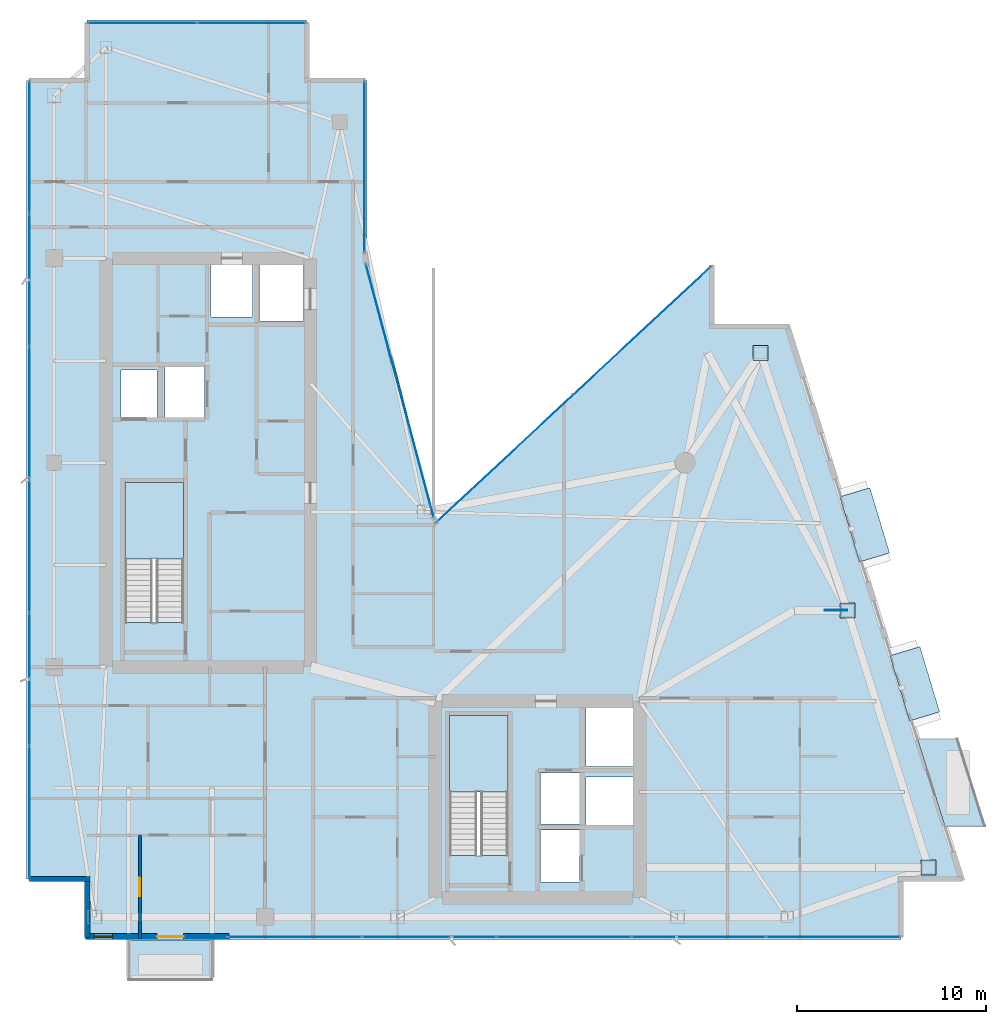
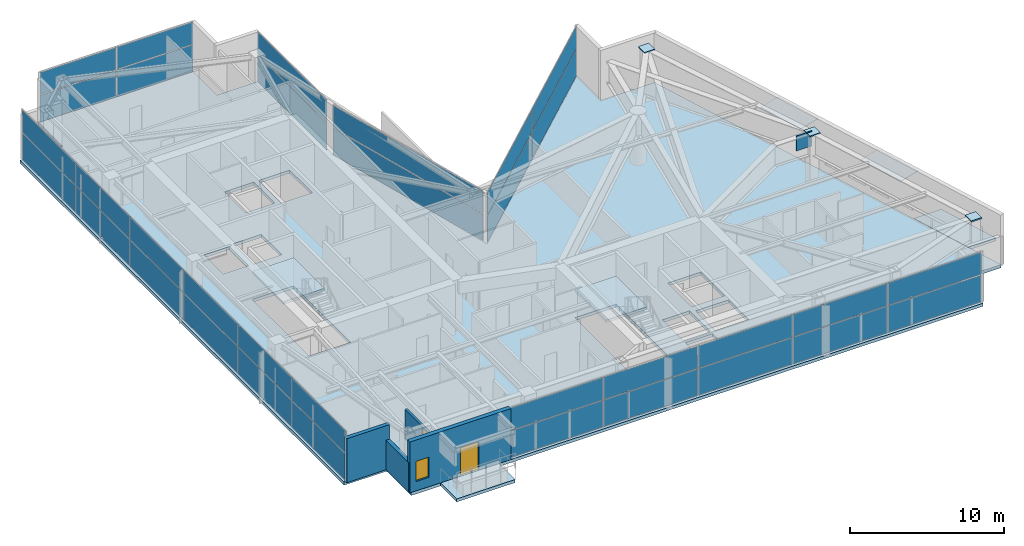
# One storey, part 21 of 27: 40 plates, 5 slabs, 4 walls, 2 doors, 1 window, 3 openings, 8 elements without a shape of their own.
"""IFC4 building model written with IfcOpenShell, lengths in metres."""

import ifcopenshell
import ifcopenshell.guid

model = None  # the IFC model being written
_history = None  # IfcOwnerHistory: only IFC2X3 demands one
_inside = {}  # id of a spatial element -> (the spatial element, [elements in it])
_under = {}  # id of a project, library or spatial element -> (it, [spatial elements below it])
_declared = {}  # id of a project -> (the project, [libraries it declares])
_typed = {}  # id of a type object -> (the type object, [elements of that type])
_made_of = {}  # id of a material, layer set ... -> (it, [elements and type objects made of it])


def new_model(schema):
    """Start an empty IFC model of exactly this schema.

    Asked for "IFC4X3", IfcOpenShell would pick the latest addendum, in which some entities
    have other attributes; the version numbers below select the first issue.
    IFC2X3 requires an IfcOwnerHistory on every rooted entity: one is made here for all.
    """
    global model, _history
    if schema == "IFC4X3":
        model = ifcopenshell.file(schema_version=(4, 3, 0, 0))
    else:
        model = ifcopenshell.file(schema=schema)
    _inside.clear()
    _under.clear()
    _declared.clear()
    _typed.clear()
    _made_of.clear()
    _history = None
    if model.schema == "IFC2X3":
        org = make("IfcOrganization", Name="unknown")
        user = make(
            "IfcPersonAndOrganization",
            ThePerson=make("IfcPerson", FamilyName="unknown"),
            TheOrganization=org,
        )
        app = make(
            "IfcApplication",
            ApplicationDeveloper=org,
            Version="unknown",
            ApplicationFullName="unknown",
            ApplicationIdentifier="unknown",
        )
        _history = make(
            "IfcOwnerHistory",
            OwningUser=user,
            OwningApplication=app,
            ChangeAction="ADDED",
            CreationDate=0,
        )
    return model


def make(cls, **values):
    """One entity of the class cls with the attributes given. An attribute that is None is left unset."""
    return model.create_entity(
        cls, **{name: value for name, value in values.items() if value is not None}
    )


def rooted(cls, **values):
    """An entity with a GlobalId (a new one), such as an element, a storey or a relation."""
    return make(cls, GlobalId=ifcopenshell.guid.new(), OwnerHistory=_history, **values)


def si_unit(unit_type, name, prefix=None):
    """IfcSIUnit, for example si_unit("LENGTHUNIT", "METRE", prefix="MILLI")."""
    return make("IfcSIUnit", UnitType=unit_type, Prefix=prefix, Name=name)


def assignment(units):
    """IfcUnitAssignment: the units of a project."""
    return None if units is None else make("IfcUnitAssignment", Units=units)


def point(xyz):
    """IfcCartesianPoint."""
    return None if xyz is None else make("IfcCartesianPoint", Coordinates=xyz)


def direction(xyz):
    """IfcDirection."""
    return None if xyz is None else make("IfcDirection", DirectionRatios=xyz)


def frame(location, z_axis=None, x_axis=None):
    """IfcAxis2Placement3D, a coordinate frame: its origin and axes. An axis left out is left unset."""
    return make(
        "IfcAxis2Placement3D",
        Location=point(location),
        Axis=direction(z_axis),
        RefDirection=direction(x_axis),
    )


def frame_2d(location, x_axis=None):
    """IfcAxis2Placement2D, a coordinate frame in the plane: its origin and x axis."""
    return make(
        "IfcAxis2Placement2D", Location=point(location), RefDirection=direction(x_axis)
    )


def origin():
    """The frame at (0, 0, 0) with its axes left unset."""
    return frame((0.0, 0.0, 0.0))


def origin_2d():
    """The frame at (0, 0) in the plane with its x axis left unset."""
    return frame_2d((0.0, 0.0))


def place(relative_to, where):
    """IfcLocalPlacement: puts the frame where relative to a parent placement (None: the world)."""
    return make(
        "IfcLocalPlacement", PlacementRelTo=relative_to, RelativePlacement=where
    )


def context(
    kind, dimensions, precision=None, world=None, true_north=None, identifier=None
):
    """IfcGeometricRepresentationContext, for example the 3D "Model" context."""
    return make(
        "IfcGeometricRepresentationContext",
        ContextIdentifier=identifier,
        ContextType=kind,
        CoordinateSpaceDimension=dimensions,
        Precision=precision,
        WorldCoordinateSystem=world,
        TrueNorth=true_north,
    )


def subcontext(parent, identifier, kind, view, scale=None):
    """IfcGeometricRepresentationSubContext, for example "Body" below "Model"."""
    return make(
        "IfcGeometricRepresentationSubContext",
        ContextIdentifier=identifier,
        ContextType=kind,
        ParentContext=parent,
        TargetScale=scale,
        TargetView=view,
    )


def project(units=None, contexts=None):
    """IfcProject with its units and contexts."""
    return rooted(
        "IfcProject",
        Name="project",
        RepresentationContexts=contexts,
        UnitsInContext=assignment(units),
    )


def spatial(cls, under=None, at=None, **own):
    """A site, building, storey or space (cls), placed at a placement, below another one or the project."""
    s = rooted(cls, ObjectPlacement=at, **own)
    if under is not None:
        _under.setdefault(under.id(), (under, []))[1].append(s)
    return s


def polyline(points):
    """IfcPolyline through the points."""
    return make("IfcPolyline", Points=[point(p) for p in points])


def profile(cls, at=None, kind="AREA", **sizes):
    """A parametric profile (cls). Its sizes go by their IFC names, for example OverallWidth=200.0."""
    return make(cls, ProfileType=kind, Position=at, **sizes)


def rectangle(**sizes):
    """IfcRectangleProfileDef."""
    return profile("IfcRectangleProfileDef", **sizes)


def outline(outer, holes=None, kind="AREA"):
    """IfcArbitraryClosedProfileDef: a profile drawn as a closed curve; with holes, ...WithVoids."""
    if holes is None:
        return make("IfcArbitraryClosedProfileDef", ProfileType=kind, OuterCurve=outer)
    return make(
        "IfcArbitraryProfileDefWithVoids",
        ProfileType=kind,
        OuterCurve=outer,
        InnerCurves=holes,
    )


def extrude(swept, where, along, depth):
    """IfcExtrudedAreaSolid: the profile swept, set in the frame where, extruded along a direction by depth."""
    return make(
        "IfcExtrudedAreaSolid",
        SweptArea=swept,
        Position=where,
        ExtrudedDirection=direction(along),
        Depth=depth,
    )


def shape(context_of_items, identifier, shape_type, items):
    """IfcShapeRepresentation: the items that make up one representation, for example the "Body"."""
    return make(
        "IfcShapeRepresentation",
        ContextOfItems=context_of_items,
        RepresentationIdentifier=identifier,
        RepresentationType=shape_type,
        Items=items,
    )


def material(Name=None, Category=None):
    """IfcMaterial."""
    return make("IfcMaterial", Name=Name, Category=Category)


def layer(
    of_material, thickness, ventilated=None, Name=None, Category=None, Priority=None
):
    """IfcMaterialLayer: one layer of a wall or slab, of a material (None: an air gap)."""
    return make(
        "IfcMaterialLayer",
        Material=of_material,
        LayerThickness=thickness,
        IsVentilated=ventilated,
        Name=Name,
        Category=Category,
        Priority=Priority,
    )


def layer_set(layers, Name=None):
    """IfcMaterialLayerSet."""
    return make("IfcMaterialLayerSet", MaterialLayers=layers, LayerSetName=Name)


def made_of(thing, what):
    """Note that an element or type object is made of a material, layer set ...; save() writes the relation."""
    if what is not None:
        _made_of.setdefault(what.id(), (what, []))[1].append(thing)
    return thing


def type_object(cls, material=None, **own):
    """A type object (cls), such as IfcWallType, which elements share."""
    return made_of(rooted(cls, **own), material)


def element(
    cls,
    number,
    at=None,
    inside=None,
    cuts=None,
    type_object=None,
    material=None,
    context=None,
    identifier="Body",
    shape_type=None,
    held_by="IfcProductDefinitionShape",
    body=None,
    shapes=None,
    **own,
):
    """One element of the class cls, such as IfcWall. Its Tag is "e" and its number.

    at: its placement. inside: the storey or other place that contains it. cuts: it is an
    opening in that element (IfcRelVoidsElement). A single representation is given by context,
    identifier, shape_type and body (its items); several are given by shapes. held_by: the class
    of the entity that holds the representations. save() writes the other relations.
    """
    e = rooted(cls, Tag="e%d" % number, ObjectPlacement=at, **own)
    if body is not None:
        shapes = [shape(context, identifier, shape_type, body)]
    if shapes is not None:
        e.Representation = make(held_by, Representations=shapes)
    if inside is not None:
        _inside.setdefault(inside.id(), (inside, []))[1].append(e)
    if cuts is not None:
        rooted(
            "IfcRelVoidsElement", RelatingBuildingElement=cuts, RelatedOpeningElement=e
        )
    if type_object is not None:
        _typed.setdefault(type_object.id(), (type_object, []))[1].append(e)
    return made_of(e, material)


def fill(opening, filler):
    """IfcRelFillsElement: the door or window that sits in an opening."""
    return rooted(
        "IfcRelFillsElement",
        RelatingOpeningElement=opening,
        RelatedBuildingElement=filler,
    )


def aggregate(whole, parts):
    """IfcRelAggregates: a whole, such as a stair, and the parts it consists of."""
    return rooted("IfcRelAggregates", RelatingObject=whole, RelatedObjects=parts)


def save(model, path):
    """Write the relations noted so far, then the file.

    IfcRelAggregates (storeys below a building ...), IfcRelContainedInSpatialStructure (elements
    in a storey), IfcRelDefinesByType, IfcRelAssociatesMaterial and IfcRelDeclares: one each for
    every whole, place, type object, material and project.
    """
    for whole, parts in _under.values():
        aggregate(whole, parts)
    for where, things in _inside.values():
        rooted(
            "IfcRelContainedInSpatialStructure",
            RelatedElements=things,
            RelatingStructure=where,
        )
    for kind, things in _typed.values():
        rooted("IfcRelDefinesByType", RelatedObjects=things, RelatingType=kind)
    for what, things in _made_of.values():
        rooted("IfcRelAssociatesMaterial", RelatedObjects=things, RelatingMaterial=what)
    for by, libraries in _declared.values():
        rooted("IfcRelDeclares", RelatingContext=by, RelatedDefinitions=libraries)
    model.write(path)


model = new_model("IFC4")

# Units and contexts
model_context = context("Model", 3, precision=1e-05, world=origin(), true_north=direction((0.0, 1.0)))
body_context = subcontext(model_context, "Body", "Model", "MODEL_VIEW")
ifc_project = project(units=[si_unit("LENGTHUNIT", "METRE"), si_unit("AREAUNIT", "SQUARE_METRE"), si_unit("VOLUMEUNIT", "CUBIC_METRE"), si_unit("PLANEANGLEUNIT", "RADIAN"), si_unit("MASSUNIT", "GRAM", prefix="KILO")], contexts=[model_context])

# Site, building, storey
site_placement = place(None, origin())
site = spatial("IfcSite", under=ifc_project, at=site_placement, CompositionType="ELEMENT")
building_placement = place(site_placement, origin())
building = spatial("IfcBuilding", under=site, at=building_placement, Name="Calvorn Quay Hotel", CompositionType="ELEMENT")
storey_placement = place(building_placement, frame((0.0, 0.0, 239.300048828125)))
storey = spatial("IfcBuildingStorey", under=building, at=storey_placement, Name="L59", CompositionType="ELEMENT", Elevation=239.300048828125)

# Curtain wall, plates
ifc_material_1 = material(Name="Champagne Bronze Anodised Aluminium and Low-E Glass", Category="aluminium")
ifc_layer_1 = layer(ifc_material_1, 0.219970703125)
ifc_layer_set_1 = layer_set([ifc_layer_1], Name="CW-SYS-Z3")
curtain_wall_type = type_object("IfcCurtainWallType", Name="CW-SYS-Z3", PredefinedType="NOTDEFINED", material=ifc_layer_set_1)
curtain_wall_1_placement = place(storey_placement, origin())
curtain_wall_1 = element("IfcCurtainWall", 1, at=curtain_wall_1_placement, inside=storey, type_object=curtain_wall_type, Name="Tower West Curtain Wall (L59)", PredefinedType="NOTDEFINED")
ifc_material_2 = material(Name="Low-E Laminated Double Glazing", Category="glass")
ifc_layer_2 = layer(ifc_material_2, 0.028076171875)
ifc_layer_set_2 = layer_set([ifc_layer_2], Name="CW-SYS-Z3-PAN")
plate_type_1 = type_object("IfcPlateType", Name="CW-SYS-Z3-PAN", PredefinedType="CURTAIN_PANEL", material=ifc_layer_set_2)
plate_1_placement = place(storey_placement, frame((0.14990234375, 9.131591796875, 0.06005859375), z_axis=(0.0, 0.0, 1.0), x_axis=(0.0, 1.0, 0.0)))
plate_1 = element("IfcPlate", 2, at=plate_1_placement, type_object=plate_type_1, Name="CW-L59-W panel 1.1", PredefinedType="CURTAIN_PANEL", context=body_context, shape_type="SweptSolid", body=[
    extrude(rectangle(XDim=6.943359375, YDim=0.028076171875, at=origin_2d()), origin(), (0.0, 0.0, 1.0), 2.110107421875),
])
plate_2_placement = place(storey_placement, frame((0.14990234375, 9.131591796875, 2.22998046875), z_axis=(0.0, 0.0, 1.0), x_axis=(0.0, 1.0, 0.0)))
plate_2 = element("IfcPlate", 3, at=plate_2_placement, type_object=plate_type_1, Name="CW-L59-W panel 1.2", PredefinedType="CURTAIN_PANEL", context=body_context, shape_type="SweptSolid", body=[
    extrude(rectangle(XDim=6.943359375, YDim=0.028076171875, at=origin_2d()), origin(), (0.0, 0.0, 1.0), 1.760009765625),
])
plate_3_placement = place(storey_placement, frame((0.14990234375, 16.14990234375, 0.06005859375), z_axis=(0.0, 0.0, 1.0), x_axis=(0.0, 1.0, 0.0)))
plate_3 = element("IfcPlate", 4, at=plate_3_placement, type_object=plate_type_1, Name="CW-L59-W panel 2.1", PredefinedType="CURTAIN_PANEL", context=body_context, shape_type="SweptSolid", body=[
    extrude(rectangle(XDim=6.973388671875, YDim=0.028076171875, at=origin_2d()), origin(), (0.0, 0.0, 1.0), 2.110107421875),
])
plate_4_placement = place(storey_placement, frame((0.14990234375, 16.14990234375, 2.22998046875), z_axis=(0.0, 0.0, 1.0), x_axis=(0.0, 1.0, 0.0)))
plate_4 = element("IfcPlate", 5, at=plate_4_placement, type_object=plate_type_1, Name="CW-L59-W panel 2.2", PredefinedType="CURTAIN_PANEL", context=body_context, shape_type="SweptSolid", body=[
    extrude(rectangle(XDim=6.973388671875, YDim=0.028076171875, at=origin_2d()), origin(), (0.0, 0.0, 1.0), 1.760009765625),
])
plate_5_placement = place(storey_placement, frame((0.14990234375, 23.183349609375, 0.06005859375), z_axis=(0.0, 0.0, 1.0), x_axis=(0.0, 1.0, 0.0)))
plate_5 = element("IfcPlate", 6, at=plate_5_placement, type_object=plate_type_1, Name="CW-L59-W panel 3.1", PredefinedType="CURTAIN_PANEL", context=body_context, shape_type="SweptSolid", body=[
    extrude(rectangle(XDim=6.973388671875, YDim=0.028076171875, at=origin_2d()), origin(), (0.0, 0.0, 1.0), 2.110107421875),
])
plate_6_placement = place(storey_placement, frame((0.14990234375, 23.183349609375, 2.22998046875), z_axis=(0.0, 0.0, 1.0), x_axis=(0.0, 1.0, 0.0)))
plate_6 = element("IfcPlate", 7, at=plate_6_placement, type_object=plate_type_1, Name="CW-L59-W panel 3.2", PredefinedType="CURTAIN_PANEL", context=body_context, shape_type="SweptSolid", body=[
    extrude(rectangle(XDim=6.973388671875, YDim=0.028076171875, at=origin_2d()), origin(), (0.0, 0.0, 1.0), 1.760009765625),
])
plate_7_placement = place(storey_placement, frame((0.14990234375, 30.216552734375, 0.06005859375), z_axis=(0.0, 0.0, 1.0), x_axis=(0.0, 1.0, 0.0)))
plate_7 = element("IfcPlate", 8, at=plate_7_placement, type_object=plate_type_1, Name="CW-L59-W panel 4.1", PredefinedType="CURTAIN_PANEL", context=body_context, shape_type="SweptSolid", body=[
    extrude(rectangle(XDim=6.973388671875, YDim=0.028076171875, at=origin_2d()), origin(), (0.0, 0.0, 1.0), 2.110107421875),
])
plate_8_placement = place(storey_placement, frame((0.14990234375, 30.216552734375, 2.22998046875), z_axis=(0.0, 0.0, 1.0), x_axis=(0.0, 1.0, 0.0)))
plate_8 = element("IfcPlate", 9, at=plate_8_placement, type_object=plate_type_1, Name="CW-L59-W panel 4.2", PredefinedType="CURTAIN_PANEL", context=body_context, shape_type="SweptSolid", body=[
    extrude(rectangle(XDim=6.973388671875, YDim=0.028076171875, at=origin_2d()), origin(), (0.0, 0.0, 1.0), 1.760009765625),
])
plate_9_placement = place(storey_placement, frame((0.14990234375, 37.25, 0.06005859375), z_axis=(0.0, 0.0, 1.0), x_axis=(0.0, 1.0, 0.0)))
plate_9 = element("IfcPlate", 10, at=plate_9_placement, type_object=plate_type_1, Name="CW-L59-W panel 5.1", PredefinedType="CURTAIN_PANEL", context=body_context, shape_type="SweptSolid", body=[
    extrude(rectangle(XDim=6.973388671875, YDim=0.028076171875, at=origin_2d()), origin(), (0.0, 0.0, 1.0), 2.110107421875),
])
plate_10_placement = place(storey_placement, frame((0.14990234375, 37.25, 2.22998046875), z_axis=(0.0, 0.0, 1.0), x_axis=(0.0, 1.0, 0.0)))
plate_10 = element("IfcPlate", 11, at=plate_10_placement, type_object=plate_type_1, Name="CW-L59-W panel 5.2", PredefinedType="CURTAIN_PANEL", context=body_context, shape_type="SweptSolid", body=[
    extrude(rectangle(XDim=6.973388671875, YDim=0.028076171875, at=origin_2d()), origin(), (0.0, 0.0, 1.0), 1.760009765625),
])
plate_11_placement = place(storey_placement, frame((0.14990234375, 44.268310546875, 0.06005859375), z_axis=(0.0, 0.0, 1.0), x_axis=(0.0, 1.0, 0.0)))
plate_11 = element("IfcPlate", 12, at=plate_11_placement, type_object=plate_type_1, Name="CW-L59-W panel 6.1", PredefinedType="CURTAIN_PANEL", context=body_context, shape_type="SweptSolid", body=[
    extrude(rectangle(XDim=6.943359375, YDim=0.028076171875, at=origin_2d()), origin(), (0.0, 0.0, 1.0), 2.110107421875),
])
plate_12_placement = place(storey_placement, frame((0.14990234375, 44.268310546875, 2.22998046875), z_axis=(0.0, 0.0, 1.0), x_axis=(0.0, 1.0, 0.0)))
plate_12 = element("IfcPlate", 13, at=plate_12_placement, type_object=plate_type_1, Name="CW-L59-W panel 6.2", PredefinedType="CURTAIN_PANEL", context=body_context, shape_type="SweptSolid", body=[
    extrude(rectangle(XDim=6.943359375, YDim=0.028076171875, at=origin_2d()), origin(), (0.0, 0.0, 1.0), 1.760009765625),
])
aggregate(curtain_wall_1, [plate_1, plate_2, plate_3, plate_4, plate_5, plate_6, plate_7, plate_8, plate_9, plate_10, plate_11, plate_12])

curtain_wall_2_placement = place(storey_placement, origin())
curtain_wall_2 = element("IfcCurtainWall", 14, at=curtain_wall_2_placement, inside=storey, type_object=curtain_wall_type, Name="Tower South Waterfront Curtain Wall (L59)", PredefinedType="NOTDEFINED")
plate_13_placement = place(storey_placement, frame((14.175048828125, 2.550048828125, 0.06005859375), z_axis=(0.0, 0.0, 1.0), x_axis=(1.0, 0.0, 0.0)))
plate_13 = element("IfcPlate", 15, at=plate_13_placement, type_object=plate_type_1, Name="CW-L59-S panel 1.1", PredefinedType="CURTAIN_PANEL", context=body_context, shape_type="SweptSolid", body=[
    extrude(rectangle(XDim=7.030029296875, YDim=0.028076171875, at=origin_2d()), origin(), (0.0, 0.0, 1.0), 2.110107421875),
])
plate_14_placement = place(storey_placement, frame((14.175048828125, 2.550048828125, 2.22998046875), z_axis=(0.0, 0.0, 1.0), x_axis=(1.0, 0.0, 0.0)))
plate_14 = element("IfcPlate", 16, at=plate_14_placement, type_object=plate_type_1, Name="CW-L59-S panel 1.2", PredefinedType="CURTAIN_PANEL", context=body_context, shape_type="SweptSolid", body=[
    extrude(rectangle(XDim=7.030029296875, YDim=0.028076171875, at=origin_2d()), origin(), (0.0, 0.0, 1.0), 1.760009765625),
])
plate_15_placement = place(storey_placement, frame((21.280029296875, 2.550048828125, 0.06005859375), z_axis=(0.0, 0.0, 1.0), x_axis=(1.0, 0.0, 0.0)))
plate_15 = element("IfcPlate", 17, at=plate_15_placement, type_object=plate_type_1, Name="CW-L59-S panel 2.1", PredefinedType="CURTAIN_PANEL", context=body_context, shape_type="SweptSolid", body=[
    extrude(rectangle(XDim=7.06005859375, YDim=0.028076171875, at=origin_2d()), origin(), (0.0, 0.0, 1.0), 2.110107421875),
])
plate_16_placement = place(storey_placement, frame((21.280029296875, 2.550048828125, 2.22998046875), z_axis=(0.0, 0.0, 1.0), x_axis=(1.0, 0.0, 0.0)))
plate_16 = element("IfcPlate", 18, at=plate_16_placement, type_object=plate_type_1, Name="CW-L59-S panel 2.2", PredefinedType="CURTAIN_PANEL", context=body_context, shape_type="SweptSolid", body=[
    extrude(rectangle(XDim=7.06005859375, YDim=0.028076171875, at=origin_2d()), origin(), (0.0, 0.0, 1.0), 1.760009765625),
])
plate_17_placement = place(storey_placement, frame((28.39990234375, 2.550048828125, 0.06005859375), z_axis=(0.0, 0.0, 1.0), x_axis=(1.0, 0.0, 0.0)))
plate_17 = element("IfcPlate", 19, at=plate_17_placement, type_object=plate_type_1, Name="CW-L59-S panel 3.1", PredefinedType="CURTAIN_PANEL", context=body_context, shape_type="SweptSolid", body=[
    extrude(rectangle(XDim=7.06005859375, YDim=0.028076171875, at=origin_2d()), origin(), (0.0, 0.0, 1.0), 2.110107421875),
])
plate_18_placement = place(storey_placement, frame((28.39990234375, 2.550048828125, 2.22998046875), z_axis=(0.0, 0.0, 1.0), x_axis=(1.0, 0.0, 0.0)))
plate_18 = element("IfcPlate", 20, at=plate_18_placement, type_object=plate_type_1, Name="CW-L59-S panel 3.2", PredefinedType="CURTAIN_PANEL", context=body_context, shape_type="SweptSolid", body=[
    extrude(rectangle(XDim=7.06005859375, YDim=0.028076171875, at=origin_2d()), origin(), (0.0, 0.0, 1.0), 1.760009765625),
])
plate_19_placement = place(storey_placement, frame((35.52001953125, 2.550048828125, 0.06005859375), z_axis=(0.0, 0.0, 1.0), x_axis=(1.0, 0.0, 0.0)))
plate_19 = element("IfcPlate", 21, at=plate_19_placement, type_object=plate_type_1, Name="CW-L59-S panel 4.1", PredefinedType="CURTAIN_PANEL", context=body_context, shape_type="SweptSolid", body=[
    extrude(rectangle(XDim=7.06005859375, YDim=0.028076171875, at=origin_2d()), origin(), (0.0, 0.0, 1.0), 2.110107421875),
])
plate_20_placement = place(storey_placement, frame((35.52001953125, 2.550048828125, 2.22998046875), z_axis=(0.0, 0.0, 1.0), x_axis=(1.0, 0.0, 0.0)))
plate_20 = element("IfcPlate", 22, at=plate_20_placement, type_object=plate_type_1, Name="CW-L59-S panel 4.2", PredefinedType="CURTAIN_PANEL", context=body_context, shape_type="SweptSolid", body=[
    extrude(rectangle(XDim=7.06005859375, YDim=0.028076171875, at=origin_2d()), origin(), (0.0, 0.0, 1.0), 1.760009765625),
])
plate_21_placement = place(storey_placement, frame((42.625, 2.550048828125, 0.06005859375), z_axis=(0.0, 0.0, 1.0), x_axis=(1.0, 0.0, 0.0)))
plate_21 = element("IfcPlate", 23, at=plate_21_placement, type_object=plate_type_1, Name="CW-L59-S panel 5.1", PredefinedType="CURTAIN_PANEL", context=body_context, shape_type="SweptSolid", body=[
    extrude(rectangle(XDim=7.030029296875, YDim=0.028076171875, at=origin_2d()), origin(), (0.0, 0.0, 1.0), 2.110107421875),
])
plate_22_placement = place(storey_placement, frame((42.625, 2.550048828125, 2.22998046875), z_axis=(0.0, 0.0, 1.0), x_axis=(1.0, 0.0, 0.0)))
plate_22 = element("IfcPlate", 24, at=plate_22_placement, type_object=plate_type_1, Name="CW-L59-S panel 5.2", PredefinedType="CURTAIN_PANEL", context=body_context, shape_type="SweptSolid", body=[
    extrude(rectangle(XDim=7.030029296875, YDim=0.028076171875, at=origin_2d()), origin(), (0.0, 0.0, 1.0), 1.760009765625),
])
aggregate(curtain_wall_2, [plate_13, plate_14, plate_15, plate_16, plate_17, plate_18, plate_19, plate_20, plate_21, plate_22])

curtain_wall_3_placement = place(storey_placement, origin())
curtain_wall_3 = element("IfcCurtainWall", 25, at=curtain_wall_3_placement, inside=storey, type_object=curtain_wall_type, Name="Inner Court Curtain Wall L59-NE1", PredefinedType="NOTDEFINED")
plate_23_placement = place(storey_placement, frame((32.5390625, 34.58984375, 0.06005859375), z_axis=(0.0, 0.0, 1.0), x_axis=(-0.731721570922, -0.681603655102, 0.0)))
plate_23 = element("IfcPlate", 26, at=plate_23_placement, type_object=plate_type_1, Name="CW-L59-NE1 panel 1.1", PredefinedType="CURTAIN_PANEL", context=body_context, shape_type="SweptSolid", body=[
    extrude(rectangle(XDim=9.886474609375, YDim=0.028076171875, at=origin_2d()), origin(), (0.0, 0.0, 1.0), 2.110107421875),
])
plate_24_placement = place(storey_placement, frame((32.5390625, 34.58984375, 2.22998046875), z_axis=(0.0, 0.0, 1.0), x_axis=(-0.731721570922, -0.681603655102, 0.0)))
plate_24 = element("IfcPlate", 27, at=plate_24_placement, type_object=plate_type_1, Name="CW-L59-NE1 panel 1.2", PredefinedType="CURTAIN_PANEL", context=body_context, shape_type="SweptSolid", body=[
    extrude(rectangle(XDim=9.886474609375, YDim=0.028076171875, at=origin_2d()), origin(), (0.0, 0.0, 1.0), 1.760009765625),
])
plate_25_placement = place(storey_placement, frame((25.260986328125, 27.810302734375, 0.06005859375), z_axis=(0.0, 0.0, 1.0), x_axis=(-0.731721570922, -0.681603655102, 0.0)))
plate_25 = element("IfcPlate", 28, at=plate_25_placement, type_object=plate_type_1, Name="CW-L59-NE1 panel 2.1", PredefinedType="CURTAIN_PANEL", context=body_context, shape_type="SweptSolid", body=[
    extrude(rectangle(XDim=9.886474609375, YDim=0.028076171875, at=origin_2d()), origin(), (0.0, 0.0, 1.0), 2.110107421875),
])
plate_26_placement = place(storey_placement, frame((25.260986328125, 27.810302734375, 2.22998046875), z_axis=(0.0, 0.0, 1.0), x_axis=(-0.731721570922, -0.681603655102, 0.0)))
plate_26 = element("IfcPlate", 29, at=plate_26_placement, type_object=plate_type_1, Name="CW-L59-NE1 panel 2.2", PredefinedType="CURTAIN_PANEL", context=body_context, shape_type="SweptSolid", body=[
    extrude(rectangle(XDim=9.886474609375, YDim=0.028076171875, at=origin_2d()), origin(), (0.0, 0.0, 1.0), 1.760009765625),
])
aggregate(curtain_wall_3, [plate_23, plate_24, plate_25, plate_26])

curtain_wall_4_placement = place(storey_placement, origin())
curtain_wall_4 = element("IfcCurtainWall", 30, at=curtain_wall_4_placement, inside=storey, type_object=curtain_wall_type, Name="Inner Court Curtain Wall L59-IC1", PredefinedType="NOTDEFINED")
plate_27_placement = place(storey_placement, frame((19.72509765625, 31.39990234375, 0.06005859375), z_axis=(0.0, 0.0, 1.0), x_axis=(-0.25877913024, 0.96593652056, 0.0)))
plate_27 = element("IfcPlate", 31, at=plate_27_placement, type_object=plate_type_1, Name="CW-L59-IC1 panel 1.1", PredefinedType="CURTAIN_PANEL", context=body_context, shape_type="SweptSolid", body=[
    extrude(rectangle(XDim=13.814697265625, YDim=0.028076171875, at=origin_2d()), origin(), (0.0, 0.0, 1.0), 2.110107421875),
])
plate_28_placement = place(storey_placement, frame((19.72509765625, 31.39990234375, 2.22998046875), z_axis=(0.0, 0.0, 1.0), x_axis=(-0.25877913024, 0.96593652056, 0.0)))
plate_28 = element("IfcPlate", 32, at=plate_28_placement, type_object=plate_type_1, Name="CW-L59-IC1 panel 1.2", PredefinedType="CURTAIN_PANEL", context=body_context, shape_type="SweptSolid", body=[
    extrude(rectangle(XDim=13.814697265625, YDim=0.028076171875, at=origin_2d()), origin(), (0.0, 0.0, 1.0), 1.760009765625),
])
aggregate(curtain_wall_4, [plate_27, plate_28])

curtain_wall_5_placement = place(storey_placement, origin())
curtain_wall_5 = element("IfcCurtainWall", 33, at=curtain_wall_5_placement, inside=storey, type_object=curtain_wall_type, Name="Inner Court Curtain Wall L59-IC2", PredefinedType="NOTDEFINED")
plate_29_placement = place(storey_placement, frame((17.85009765625, 43.239990234375, 0.06005859375), z_axis=(0.0, 0.0, 1.0), x_axis=(0.0, 1.0, 0.0)))
plate_29 = element("IfcPlate", 34, at=plate_29_placement, type_object=plate_type_1, Name="CW-L59-IC2 panel 1.1", PredefinedType="CURTAIN_PANEL", context=body_context, shape_type="SweptSolid", body=[
    extrude(rectangle(XDim=9.0, YDim=0.028076171875, at=origin_2d()), origin(), (0.0, 0.0, 1.0), 2.110107421875),
])
plate_30_placement = place(storey_placement, frame((17.85009765625, 43.239990234375, 2.22998046875), z_axis=(0.0, 0.0, 1.0), x_axis=(0.0, 1.0, 0.0)))
plate_30 = element("IfcPlate", 35, at=plate_30_placement, type_object=plate_type_1, Name="CW-L59-IC2 panel 1.2", PredefinedType="CURTAIN_PANEL", context=body_context, shape_type="SweptSolid", body=[
    extrude(rectangle(XDim=9.0, YDim=0.028076171875, at=origin_2d()), origin(), (0.0, 0.0, 1.0), 1.760009765625),
])
aggregate(curtain_wall_5, [plate_29, plate_30])

curtain_wall_6_placement = place(storey_placement, origin())
curtain_wall_6 = element("IfcCurtainWall", 36, at=curtain_wall_6_placement, inside=storey, type_object=curtain_wall_type, Name="Inner Court Curtain Wall L59-N1", PredefinedType="NOTDEFINED")
plate_31_placement = place(storey_placement, frame((11.885009765625, 50.85009765625, 0.06005859375), z_axis=(0.0, 0.0, 1.0), x_axis=(-1.0, 0.0, 0.0)))
plate_31 = element("IfcPlate", 37, at=plate_31_placement, type_object=plate_type_1, Name="CW-L59-N1 panel 1.1", PredefinedType="CURTAIN_PANEL", context=body_context, shape_type="SweptSolid", body=[
    extrude(rectangle(XDim=5.7099609375, YDim=0.028076171875, at=origin_2d()), origin(), (0.0, 0.0, 1.0), 2.110107421875),
])
plate_32_placement = place(storey_placement, frame((11.885009765625, 50.85009765625, 2.22998046875), z_axis=(0.0, 0.0, 1.0), x_axis=(-1.0, 0.0, 0.0)))
plate_32 = element("IfcPlate", 38, at=plate_32_placement, type_object=plate_type_1, Name="CW-L59-N1 panel 1.2", PredefinedType="CURTAIN_PANEL", context=body_context, shape_type="SweptSolid", body=[
    extrude(rectangle(XDim=5.7099609375, YDim=0.028076171875, at=origin_2d()), origin(), (0.0, 0.0, 1.0), 1.760009765625),
])
plate_33_placement = place(storey_placement, frame((6.114990234375, 50.85009765625, 0.06005859375), z_axis=(0.0, 0.0, 1.0), x_axis=(-1.0, 0.0, 0.0)))
plate_33 = element("IfcPlate", 39, at=plate_33_placement, type_object=plate_type_1, Name="CW-L59-N1 panel 2.1", PredefinedType="CURTAIN_PANEL", context=body_context, shape_type="SweptSolid", body=[
    extrude(rectangle(XDim=5.7099609375, YDim=0.028076171875, at=origin_2d()), origin(), (0.0, 0.0, 1.0), 2.110107421875),
])
plate_34_placement = place(storey_placement, frame((6.114990234375, 50.85009765625, 2.22998046875), z_axis=(0.0, 0.0, 1.0), x_axis=(-1.0, 0.0, 0.0)))
plate_34 = element("IfcPlate", 40, at=plate_34_placement, type_object=plate_type_1, Name="CW-L59-N1 panel 2.2", PredefinedType="CURTAIN_PANEL", context=body_context, shape_type="SweptSolid", body=[
    extrude(rectangle(XDim=5.7099609375, YDim=0.028076171875, at=origin_2d()), origin(), (0.0, 0.0, 1.0), 1.760009765625),
])
aggregate(curtain_wall_6, [plate_31, plate_32, plate_33, plate_34])

# Plates
ifc_material_3 = material(Name="Steel Q420GJC", Category="steel")
ifc_layer_3 = layer(ifc_material_3, 0.050048828125)
ifc_layer_set_3 = layer_set([ifc_layer_3], Name="PLT-GUSSET-50")
plate_type_2 = type_object("IfcPlateType", Name="PLT-GUSSET-50", PredefinedType="SHEET", material=ifc_layer_set_3)
plate_35_placement = place(storey_placement, frame((42.77587890625, 19.800048828125, 2.9501953125), z_axis=(0.0, 0.0, 1.0), x_axis=(1.0, 0.0, 0.0)))
element("IfcPlate", 41, at=plate_35_placement, inside=storey, type_object=plate_type_2, Name="Transfer Gusset Plate PG-L59-E1", PredefinedType="SHEET", context=body_context, shape_type="SweptSolid", body=[
    extrude(rectangle(XDim=1.199951171875, YDim=0.050048828125, at=origin_2d()), origin(), (0.0, 0.0, 1.0), 1.199951171875),
])
ifc_material_4 = material(Name="Tempered Laminated Low-E Glass", Category="glass")
ifc_layer_4 = layer(ifc_material_4, 0.0380859375)
ifc_layer_set_4 = layer_set([ifc_layer_4], Name="PLT-HOOD-GLAZ")
plate_type_3 = type_object("IfcPlateType", Name="PLT-HOOD-GLAZ", PredefinedType="SHEET", material=ifc_layer_set_4)
for number, where, z_axis, x_axis, name in (
    (42, (46.93505859375, 15.91796875, 2.466796875), (0.0, 0.0, 1.0), (0.957319497532, 0.289031796944, 0.0), "Angled Glass Bay Hood Panel L59-HOOD-2"),
    (43, (44.2890625, 24.318115234375, 2.466796875), (0.0, 0.0, 1.0), (0.957319497532, 0.289031796944, 0.0), "Angled Glass Bay Hood Panel L59-HOOD-3"),
):
    element("IfcPlate", number, at=place(storey_placement, frame(where, z_axis=z_axis, x_axis=x_axis)), inside=storey, type_object=plate_type_3, Name=name, PredefinedType="SHEET", context=body_context, shape_type="SweptSolid", body=[
        extrude(rectangle(XDim=1.659912109375, YDim=3.60009765625, at=origin_2d()), origin(), (0.0, 0.0, 1.0), 0.0380859375),
    ])
ifc_material_5 = material(Name="Steel Q390GJC", Category="steel")
ifc_layer_5 = layer(ifc_material_5, 0.031982421875)
ifc_layer_set_5 = layer_set([ifc_layer_5], Name="PLT-SPLICE-32")
plate_type_4 = type_object("IfcPlateType", Name="PLT-SPLICE-32", PredefinedType="USERDEFINED", material=ifc_layer_set_5)
for number, where, z_axis, x_axis, name in (
    (44, (47.660888671875, 6.199951171875, 3.989990234375), (0.0, 0.0, 1.0), (1.0, 0.0, 0.0), "Column Top Cap Plate C-ET1 (L59)"),
    (45, (43.3759765625, 19.800048828125, 3.989990234375), (0.0, 0.0, 1.0), (1.0, 0.0, 0.0), "Column Top Cap Plate C-ET2 (L59)"),
    (46, (38.791015625, 33.39990234375, 3.989990234375), (0.0, 0.0, 1.0), (1.0, 0.0, 0.0), "Column Top Cap Plate C-ET3 (L59)"),
):
    element("IfcPlate", number, at=place(storey_placement, frame(where, z_axis=z_axis, x_axis=x_axis)), inside=storey, type_object=plate_type_4, Name=name, ObjectType="SPLICE_PLATE", PredefinedType="USERDEFINED", context=body_context, shape_type="SweptSolid", body=[
        extrude(rectangle(XDim=0.7900390625, YDim=0.7900390625, at=origin_2d()), origin(), (0.0, 0.0, 1.0), 0.10009765625),
    ])

# Slabs
ifc_material_6 = material(Name="Concrete C40", Category="concrete")
ifc_layer_6 = layer(ifc_material_6, 0.239990234375)
ifc_layer_set_6 = layer_set([ifc_layer_6], Name="SLB-BALCONY-220")
slab_type_1 = type_object("IfcSlabType", Name="SLB-BALCONY-220", PredefinedType="FLOOR", material=ifc_layer_set_6)
slab_1_placement = place(storey_placement, frame((0.0, 0.0, -0.239990234375)))
element("IfcSlab", 47, at=slab_1_placement, inside=storey, type_object=slab_type_1, Name="Tree Balcony Slab L59-BALC-E", PredefinedType="FLOOR", context=body_context, shape_type="SweptSolid", body=[
    extrude(outline(polyline([(48.528076171875, 8.39990234375), (50.6279296875, 8.39990234375), (49.177978515625, 13.0), (47.077880859375, 13.0), (48.528076171875, 8.39990234375)])), origin(), (0.0, 0.0, 1.0), 0.239990234375),
])
slab_2_placement = place(storey_placement, frame((0.0, 0.0, -0.239990234375)))
element("IfcSlab", 48, at=slab_2_placement, inside=storey, type_object=slab_type_1, Name="Tree Balcony Slab L59-BALC-S", PredefinedType="FLOOR", context=body_context, shape_type="SweptSolid", body=[
    extrude(outline(polyline([(5.39990234375, 0.2900390625), (9.800048828125, 0.2900390625), (9.800048828125, 2.389892578125), (5.39990234375, 2.389892578125), (5.39990234375, 0.2900390625)])), origin(), (0.0, 0.0, 1.0), 0.239990234375),
])

# Stair, slab
ifc_material_7 = material(Name="Concrete C40", Category="concrete")
stair_type = type_object("IfcStairType", Name="STR-CORE-DOGLEG", PredefinedType="HALF_TURN_STAIR", material=ifc_material_7)
stair_1_placement = place(storey_placement, origin())
stair_1 = element("IfcStair", 49, at=stair_1_placement, inside=storey, type_object=stair_type, Name="L59 ST-W", PredefinedType="HALF_TURN_STAIR")
ifc_material_8 = material(Name="Concrete C40", Category="concrete")
ifc_layer_7 = layer(ifc_material_8, 0.199951171875)
ifc_layer_set_7 = layer_set([ifc_layer_7], Name="SLB-STAIR-LANDING-200")
slab_type_2 = type_object("IfcSlabType", Name="SLB-STAIR-LANDING-200", PredefinedType="LANDING", material=ifc_layer_set_7)
slab_3_placement = place(storey_placement, frame((0.0, 0.0, 2.050048828125)))
slab_3 = element("IfcSlab", 50, at=slab_3_placement, type_object=slab_type_2, Name="ST-W landing 1", PredefinedType="LANDING", context=body_context, shape_type="SweptSolid", body=[
    extrude(outline(polyline([(8.300048828125, 22.510009765625), (8.300048828125, 26.550048828125), (5.199951171875, 26.550048828125), (5.199951171875, 22.510009765625), (8.300048828125, 22.510009765625)])), origin(), (0.0, 0.0, 1.0), 0.199951171875),
])
aggregate(stair_1, [slab_3])

stair_2_placement = place(storey_placement, origin())
stair_2 = element("IfcStair", 51, at=stair_2_placement, inside=storey, type_object=stair_type, Name="L59 ST-E", PredefinedType="HALF_TURN_STAIR")
slab_4_placement = place(storey_placement, frame((0.0, 0.0, 2.050048828125)))
slab_4 = element("IfcSlab", 52, at=slab_4_placement, type_object=slab_type_2, Name="ST-E landing 1", PredefinedType="LANDING", context=body_context, shape_type="SweptSolid", body=[
    extrude(outline(polyline([(25.449951171875, 10.2099609375), (25.449951171875, 14.25), (22.35009765625, 14.25), (22.35009765625, 10.2099609375), (25.449951171875, 10.2099609375)])), origin(), (0.0, 0.0, 1.0), 0.199951171875),
])
aggregate(stair_2, [slab_4])

# Slab
ifc_material_9 = material(Name="Concrete C40", Category="concrete")
ifc_layer_8 = layer(ifc_material_9, 0.239990234375)
ifc_layer_set_8 = layer_set([ifc_layer_8], Name="SLB-TOWER-240")
slab_type_3 = type_object("IfcSlabType", Name="SLB-TOWER-240", PredefinedType="FLOOR", material=ifc_layer_set_8)
slab_5_placement = place(storey_placement, frame((0.0, 0.0, -0.239990234375)))
element("IfcSlab", 53, at=slab_5_placement, inside=storey, type_object=slab_type_3, Name="L59 Structural Floor Slab", PredefinedType="FLOOR", context=body_context, shape_type="SweptSolid", body=[
    extrude(outline(polyline([(0.0, 5.60009765625), (3.199951171875, 5.60009765625), (3.199951171875, 2.39990234375), (46.199951171875, 2.39990234375), (46.199951171875, 5.60009765625), (49.39990234375, 5.60009765625), (40.199951171875, 34.800048828125), (36.199951171875, 34.800048828125), (36.199951171875, 38.0), (21.60009765625, 24.39990234375), (18.0, 38.39990234375), (18.0, 47.800048828125), (14.800048828125, 47.800048828125), (14.800048828125, 51.0), (3.199951171875, 51.0), (3.199951171875, 47.800048828125), (0.0, 47.800048828125), (0.0, 5.60009765625)]), holes=[polyline([(5.199951171875, 19.156005859375), (8.300048828125, 19.156005859375), (8.300048828125, 26.550048828125), (5.199951171875, 26.550048828125), (5.199951171875, 19.156005859375)]), polyline([(22.35009765625, 6.85595703125), (25.449951171875, 6.85595703125), (25.449951171875, 14.25), (22.35009765625, 14.25), (22.35009765625, 6.85595703125)]), polyline([(5.0, 30.0), (6.89990234375, 30.0), (6.89990234375, 32.5), (5.0, 32.5), (5.0, 30.0)]), polyline([(7.300048828125, 30.0), (9.39990234375, 30.0), (9.39990234375, 32.64990234375), (7.300048828125, 32.64990234375), (7.300048828125, 30.0)]), polyline([(27.159912109375, 8.5), (29.2099609375, 8.5), (29.2099609375, 11.199951171875), (27.159912109375, 11.199951171875), (27.159912109375, 8.5)]), polyline([(27.159912109375, 5.449951171875), (29.2099609375, 5.449951171875), (29.2099609375, 8.199951171875), (27.159912109375, 8.199951171875), (27.159912109375, 5.449951171875)]), polyline([(12.300048828125, 35.10009765625), (14.639892578125, 35.10009765625), (14.639892578125, 38.0400390625), (12.300048828125, 38.0400390625), (12.300048828125, 35.10009765625)]), polyline([(9.75, 35.300048828125), (11.949951171875, 35.300048828125), (11.949951171875, 38.0400390625), (9.75, 38.0400390625), (9.75, 35.300048828125)]), polyline([(29.550048828125, 11.550048828125), (32.0400390625, 11.550048828125), (32.0400390625, 14.639892578125), (29.550048828125, 14.639892578125), (29.550048828125, 11.550048828125)]), polyline([(29.550048828125, 8.449951171875), (32.0400390625, 8.449951171875), (32.0400390625, 11.0), (29.550048828125, 11.0), (29.550048828125, 8.449951171875)])]), origin(), (0.0, 0.0, 1.0), 0.239990234375),
])

# Wall, openings, door, window
ifc_material_10 = material(Name="Concrete C40", Category="concrete")
ifc_layer_9 = layer(ifc_material_10, 0.320068359375)
ifc_layer_set_9 = layer_set([ifc_layer_9], Name="WL-EXT-SPANDREL-320")
wall_type_1 = type_object("IfcWallType", Name="WL-EXT-SPANDREL-320", PredefinedType="SOLIDWALL", material=ifc_layer_set_9)
wall_1_placement = place(storey_placement, frame((3.10009765625, 2.56005859375, 0.0), z_axis=(0.0, 0.0, 1.0), x_axis=(1.0, 0.0, 0.0)))
wall_1 = element("IfcWall", 54, at=wall_1_placement, inside=storey, type_object=wall_type_1, Name="South Balcony Exterior Wall (L59)", PredefinedType="SOLIDWALL", context=body_context, shape_type="SweptSolid", body=[
    extrude(rectangle(XDim=7.599853515625, YDim=0.320068359375, at=frame_2d((3.7998046875, 0.0))), origin(), (0.0, 0.0, 1.0), 4.050048828125),
])
opening_1_placement = place(wall_1_placement, frame((0.449951171875, 0.0, 0.75)))
opening_1 = element("IfcOpeningElement", 55, at=opening_1_placement, cuts=wall_1, Name="Opening WSB-L59-1", PredefinedType="OPENING", context=body_context, shape_type="SweptSolid", body=[
    extrude(rectangle(XDim=1.0, YDim=1.60009765625, at=frame_2d((0.5, 0.800048828125))), frame((0.0, 0.169921875, 0.0), z_axis=(0.0, -1.0, 0.0), x_axis=(1.0, 0.0, 0.0)), (0.0, 0.0, 1.0), 0.340087890625),
])
opening_2_placement = place(wall_1_placement, frame((3.800048828125, 0.0, 0.0)))
opening_2 = element("IfcOpeningElement", 56, at=opening_2_placement, cuts=wall_1, Name="Opening DB-L59-2", PredefinedType="OPENING", context=body_context, shape_type="SweptSolid", body=[
    extrude(rectangle(XDim=1.39990234375, YDim=2.25, at=frame_2d((0.699951171875, 1.125))), frame((0.0, 0.169921875, 0.0), z_axis=(0.0, -1.0, 0.0), x_axis=(1.0, 0.0, 0.0)), (0.0, 0.0, 1.0), 0.340087890625),
])
ifc_material_11 = material(Name="Typhoon-Rated Low-E Aluminium Terrace Door", Category="aluminium")
door_type_1 = type_object("IfcDoorType", Name="DR-BALCONY-GLZ-1400", OperationType="NOTDEFINED", PredefinedType="DOOR", material=ifc_material_11)
door_1_placement = place(opening_2_placement, origin())
door_1 = element("IfcDoor", 57, at=door_1_placement, inside=storey, type_object=door_type_1, Name="Tree Balcony Terrace Door L59-BALC-S", OperationType="SINGLE_SWING_LEFT", OverallHeight=2.25, OverallWidth=1.39990234375, PredefinedType="DOOR", context=body_context, shape_type="SweptSolid", body=[
    extrude(rectangle(XDim=1.39990234375, YDim=2.25, at=frame_2d((0.699951171875, 1.125))), frame((0.0, 0.02490234375, 0.0), z_axis=(0.0, -1.0, 0.0), x_axis=(1.0, 0.0, 0.0)), (0.0, 0.0, 1.0), 0.050048828125),
])
fill(opening_2, door_1)
ifc_material_12 = material(Name="Self-Closing Class B Side Fire Window")
window_type = type_object("IfcWindowType", Name="WIN-REFUGE-NARROW-1000x1600", PartitioningType="SINGLE_PANEL", PredefinedType="WINDOW", material=ifc_material_12)
window_placement = place(opening_1_placement, origin())
window = element("IfcWindow", 58, at=window_placement, inside=storey, type_object=window_type, Name="South Waterfront Side Window (L59)", OverallHeight=1.60009765625, OverallWidth=1.0, PartitioningType="SINGLE_PANEL", PredefinedType="WINDOW", context=body_context, shape_type="SweptSolid", body=[
    extrude(rectangle(XDim=1.0, YDim=1.60009765625, at=frame_2d((0.5, 0.800048828125))), frame((0.0, 0.030029296875, 0.0), z_axis=(0.0, -1.0, 0.0), x_axis=(1.0, 0.0, 0.0)), (0.0, 0.0, 1.0), 0.06005859375),
])
fill(opening_1, window)

# Walls
wall_2_placement = place(storey_placement, frame((0.1201171875, 5.60009765625, 0.0), z_axis=(0.0, 0.0, 1.0), x_axis=(1.0, 0.0, 0.0)))
element("IfcWall", 59, at=wall_2_placement, inside=storey, type_object=wall_type_1, Name="Notched Corner Spandrel L59-SW1", PredefinedType="SOLIDWALL", context=body_context, shape_type="SweptSolid", body=[
    extrude(rectangle(XDim=3.219970703125, YDim=0.280029296875, at=frame_2d((1.60986328125, 0.0))), origin(), (0.0, 0.0, 1.0), 3.5),
])
wall_3_placement = place(storey_placement, frame((3.199951171875, 5.4599609375, 0.0), z_axis=(0.0, 0.0, 1.0), x_axis=(0.0, -1.0, 0.0)))
element("IfcWall", 60, at=wall_3_placement, inside=storey, type_object=wall_type_1, Name="Notched Corner Spandrel L59-SW2", PredefinedType="SOLIDWALL", context=body_context, shape_type="SweptSolid", body=[
    extrude(rectangle(XDim=2.93994140625, YDim=0.280029296875, at=frame_2d((1.469970703125, 0.0))), origin(), (0.0, 0.0, 1.0), 2.349853515625),
])

# Wall, opening, door
ifc_material_13 = material(Name="Double-Stud Acoustic Gypsum Partition")
ifc_layer_10 = layer(ifc_material_13, 0.159912109375)
ifc_layer_set_10 = layer_set([ifc_layer_10], Name="WL-INTERSUITE-160")
wall_type_2 = type_object("IfcWallType", Name="WL-INTERSUITE-160", PredefinedType="PARTITIONING", material=ifc_layer_set_10)
wall_4_placement = place(storey_placement, frame((5.97998046875, 2.43994140625, 0.0), z_axis=(0.0, 0.0, 1.0), x_axis=(0.0, 1.0, 0.0)))
wall_4 = element("IfcWall", 61, at=wall_4_placement, inside=storey, type_object=wall_type_2, Name="Partition Wall L59-WL-U01-MSP", PredefinedType="PARTITIONING", context=body_context, shape_type="SweptSolid", body=[
    extrude(rectangle(XDim=5.47998046875, YDim=0.159912109375, at=frame_2d((2.739990234375, 0.0))), origin(), (0.0, 0.0, 1.0), 2.349853515625),
])
opening_3_placement = place(wall_4_placement, frame((2.260009765625, 0.0, 0.0)))
opening_3 = element("IfcOpeningElement", 62, at=opening_3_placement, cuts=wall_4, Name="Opening D-L59-M01", PredefinedType="OPENING", context=body_context, shape_type="SweptSolid", body=[
    extrude(rectangle(XDim=0.9599609375, YDim=2.199951171875, at=frame_2d((0.47998046875, 1.10009765625))), frame((0.0, 0.08984375, 0.0), z_axis=(0.0, -1.0, 0.0), x_axis=(1.0, 0.0, 0.0)), (0.0, 0.0, 1.0), 0.179931640625),
])
ifc_material_14 = material(Name="Solid Timber Internal Suite Door", Category="wood")
door_type_2 = type_object("IfcDoorType", Name="DR-SUITE-INT-960", OperationType="NOTDEFINED", PredefinedType="DOOR", material=ifc_material_14)
door_2_placement = place(opening_3_placement, origin())
door_2 = element("IfcDoor", 63, at=door_2_placement, inside=storey, type_object=door_type_2, Name="Suite Bedroom Door 01", OperationType="SINGLE_SWING_LEFT", OverallHeight=2.199951171875, OverallWidth=0.9599609375, PredefinedType="DOOR", context=body_context, shape_type="SweptSolid", body=[
    extrude(rectangle(XDim=0.9599609375, YDim=2.199951171875, at=frame_2d((0.47998046875, 1.10009765625))), frame((0.0, 0.02490234375, 0.0), z_axis=(0.0, -1.0, 0.0), x_axis=(1.0, 0.0, 0.0)), (0.0, 0.0, 1.0), 0.050048828125),
])
fill(opening_3, door_2)

save(model, "model.ifc")
